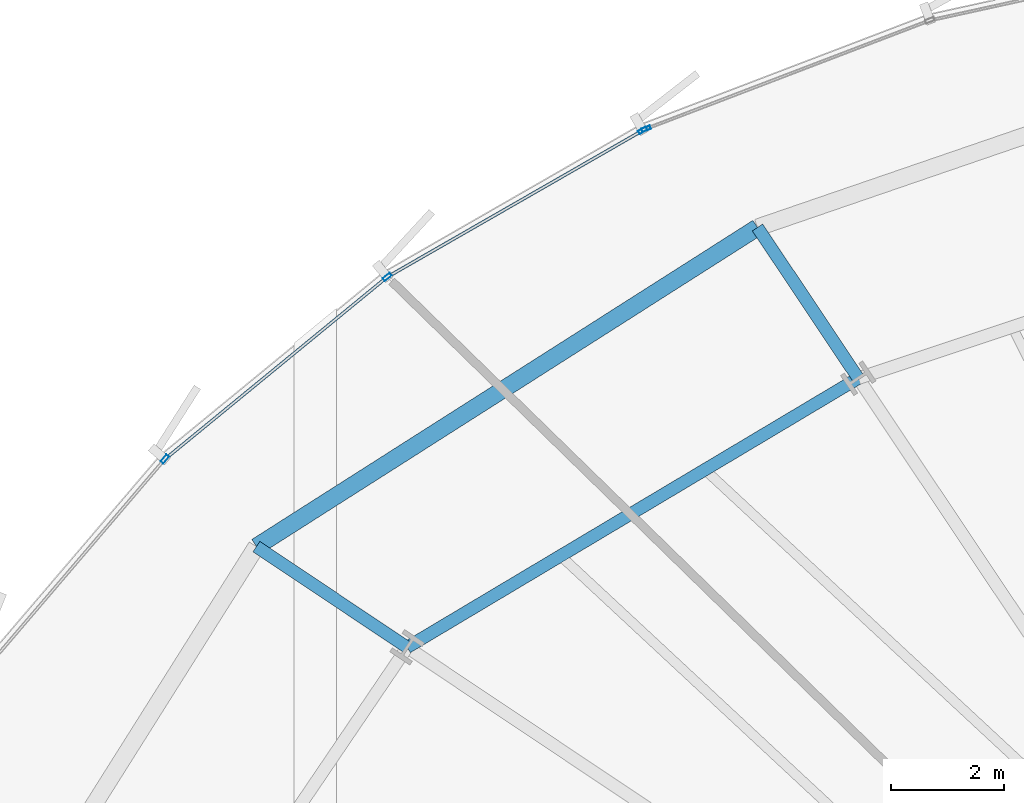
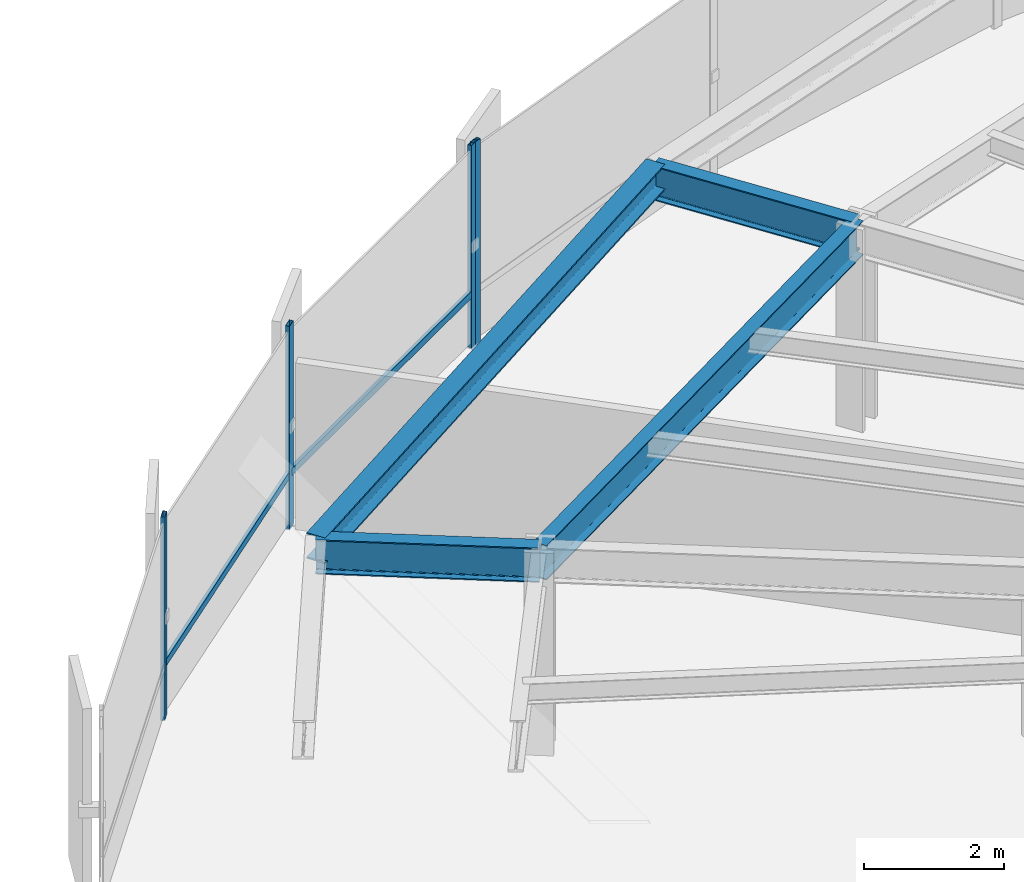
# One storey, part 17 of 38: 6 members, 4 beams, 2 elements without a shape of their own.
"""IFC4 building model written with IfcOpenShell, lengths in metres."""

import ifcopenshell
import ifcopenshell.guid

model = None  # the IFC model being written
_history = None  # IfcOwnerHistory: only IFC2X3 demands one
_inside = {}  # id of a spatial element -> (the spatial element, [elements in it])
_under = {}  # id of a project, library or spatial element -> (it, [spatial elements below it])
_declared = {}  # id of a project -> (the project, [libraries it declares])
_typed = {}  # id of a type object -> (the type object, [elements of that type])
_made_of = {}  # id of a material, layer set ... -> (it, [elements and type objects made of it])


def new_model(schema):
    """Start an empty IFC model of exactly this schema.

    Asked for "IFC4X3", IfcOpenShell would pick the latest addendum, in which some entities
    have other attributes; the version numbers below select the first issue.
    IFC2X3 requires an IfcOwnerHistory on every rooted entity: one is made here for all.
    """
    global model, _history
    if schema == "IFC4X3":
        model = ifcopenshell.file(schema_version=(4, 3, 0, 0))
    else:
        model = ifcopenshell.file(schema=schema)
    _inside.clear()
    _under.clear()
    _declared.clear()
    _typed.clear()
    _made_of.clear()
    _history = None
    if model.schema == "IFC2X3":
        org = make("IfcOrganization", Name="unknown")
        user = make(
            "IfcPersonAndOrganization",
            ThePerson=make("IfcPerson", FamilyName="unknown"),
            TheOrganization=org,
        )
        app = make(
            "IfcApplication",
            ApplicationDeveloper=org,
            Version="unknown",
            ApplicationFullName="unknown",
            ApplicationIdentifier="unknown",
        )
        _history = make(
            "IfcOwnerHistory",
            OwningUser=user,
            OwningApplication=app,
            ChangeAction="ADDED",
            CreationDate=0,
        )
    return model


def make(cls, **values):
    """One entity of the class cls with the attributes given. An attribute that is None is left unset."""
    return model.create_entity(
        cls, **{name: value for name, value in values.items() if value is not None}
    )


def rooted(cls, **values):
    """An entity with a GlobalId (a new one), such as an element, a storey or a relation."""
    return make(cls, GlobalId=ifcopenshell.guid.new(), OwnerHistory=_history, **values)


def si_unit(unit_type, name, prefix=None):
    """IfcSIUnit, for example si_unit("LENGTHUNIT", "METRE", prefix="MILLI")."""
    return make("IfcSIUnit", UnitType=unit_type, Prefix=prefix, Name=name)


def assignment(units):
    """IfcUnitAssignment: the units of a project."""
    return None if units is None else make("IfcUnitAssignment", Units=units)


def point(xyz):
    """IfcCartesianPoint."""
    return None if xyz is None else make("IfcCartesianPoint", Coordinates=xyz)


def direction(xyz):
    """IfcDirection."""
    return None if xyz is None else make("IfcDirection", DirectionRatios=xyz)


def frame(location, z_axis=None, x_axis=None):
    """IfcAxis2Placement3D, a coordinate frame: its origin and axes. An axis left out is left unset."""
    return make(
        "IfcAxis2Placement3D",
        Location=point(location),
        Axis=direction(z_axis),
        RefDirection=direction(x_axis),
    )


def frame_2d(location, x_axis=None):
    """IfcAxis2Placement2D, a coordinate frame in the plane: its origin and x axis."""
    return make(
        "IfcAxis2Placement2D", Location=point(location), RefDirection=direction(x_axis)
    )


def origin():
    """The frame at (0, 0, 0) with its axes left unset."""
    return frame((0.0, 0.0, 0.0))


def origin_2d():
    """The frame at (0, 0) in the plane with its x axis left unset."""
    return frame_2d((0.0, 0.0))


def place(relative_to, where):
    """IfcLocalPlacement: puts the frame where relative to a parent placement (None: the world)."""
    return make(
        "IfcLocalPlacement", PlacementRelTo=relative_to, RelativePlacement=where
    )


def context(
    kind, dimensions, precision=None, world=None, true_north=None, identifier=None
):
    """IfcGeometricRepresentationContext, for example the 3D "Model" context."""
    return make(
        "IfcGeometricRepresentationContext",
        ContextIdentifier=identifier,
        ContextType=kind,
        CoordinateSpaceDimension=dimensions,
        Precision=precision,
        WorldCoordinateSystem=world,
        TrueNorth=true_north,
    )


def subcontext(parent, identifier, kind, view, scale=None):
    """IfcGeometricRepresentationSubContext, for example "Body" below "Model"."""
    return make(
        "IfcGeometricRepresentationSubContext",
        ContextIdentifier=identifier,
        ContextType=kind,
        ParentContext=parent,
        TargetScale=scale,
        TargetView=view,
    )


def project(units=None, contexts=None):
    """IfcProject with its units and contexts."""
    return rooted(
        "IfcProject",
        Name="project",
        RepresentationContexts=contexts,
        UnitsInContext=assignment(units),
    )


def spatial(cls, under=None, at=None, **own):
    """A site, building, storey or space (cls), placed at a placement, below another one or the project."""
    s = rooted(cls, ObjectPlacement=at, **own)
    if under is not None:
        _under.setdefault(under.id(), (under, []))[1].append(s)
    return s


def profile(cls, at=None, kind="AREA", **sizes):
    """A parametric profile (cls). Its sizes go by their IFC names, for example OverallWidth=200.0."""
    return make(cls, ProfileType=kind, Position=at, **sizes)


def hollow_rectangle(**sizes):
    """IfcRectangleHollowProfileDef."""
    return profile("IfcRectangleHollowProfileDef", **sizes)


def i_section(**sizes):
    """IfcIShapeProfileDef."""
    return profile("IfcIShapeProfileDef", **sizes)


def extrude(swept, where, along, depth):
    """IfcExtrudedAreaSolid: the profile swept, set in the frame where, extruded along a direction by depth."""
    return make(
        "IfcExtrudedAreaSolid",
        SweptArea=swept,
        Position=where,
        ExtrudedDirection=direction(along),
        Depth=depth,
    )


def shape(context_of_items, identifier, shape_type, items):
    """IfcShapeRepresentation: the items that make up one representation, for example the "Body"."""
    return make(
        "IfcShapeRepresentation",
        ContextOfItems=context_of_items,
        RepresentationIdentifier=identifier,
        RepresentationType=shape_type,
        Items=items,
    )


def source(mapping_origin, context_of_items, identifier, shape_type, items):
    """IfcRepresentationMap: a shape defined once, which mapped items show again and again."""
    return make(
        "IfcRepresentationMap",
        MappingOrigin=mapping_origin,
        MappedRepresentation=shape(context_of_items, identifier, shape_type, items),
    )


def transform(
    local_origin,
    x_axis=None,
    y_axis=None,
    z_axis=None,
    scale=None,
    scale2=None,
    scale3=None,
    uniform=True,
):
    """IfcCartesianTransformationOperator3D, or its non-uniform kind. x_axis, y_axis, z_axis: its Axis1, 2, 3."""
    if uniform:
        return make(
            "IfcCartesianTransformationOperator3D",
            Axis1=direction(x_axis),
            Axis2=direction(y_axis),
            LocalOrigin=point(local_origin),
            Scale=scale,
            Axis3=direction(z_axis),
        )
    return make(
        "IfcCartesianTransformationOperator3DnonUniform",
        Axis1=direction(x_axis),
        Axis2=direction(y_axis),
        LocalOrigin=point(local_origin),
        Scale=scale,
        Axis3=direction(z_axis),
        Scale2=scale2,
        Scale3=scale3,
    )


def mapped(mapping_source, mapping_target):
    """IfcMappedItem: shows the shape of a source again, moved by a transform."""
    return make(
        "IfcMappedItem", MappingSource=mapping_source, MappingTarget=mapping_target
    )


def material(Name=None, Category=None):
    """IfcMaterial."""
    return make("IfcMaterial", Name=Name, Category=Category)


def layer(
    of_material, thickness, ventilated=None, Name=None, Category=None, Priority=None
):
    """IfcMaterialLayer: one layer of a wall or slab, of a material (None: an air gap)."""
    return make(
        "IfcMaterialLayer",
        Material=of_material,
        LayerThickness=thickness,
        IsVentilated=ventilated,
        Name=Name,
        Category=Category,
        Priority=Priority,
    )


def layer_set(layers, Name=None):
    """IfcMaterialLayerSet."""
    return make("IfcMaterialLayerSet", MaterialLayers=layers, LayerSetName=Name)


def material_profile(
    of_material, cross_section, Name=None, Category=None, Priority=None
):
    """IfcMaterialProfile: a cross section and its material."""
    return make(
        "IfcMaterialProfile",
        Name=Name,
        Material=of_material,
        Profile=cross_section,
        Priority=Priority,
        Category=Category,
    )


def profile_set(profiles, Name=None, composite=None):
    """IfcMaterialProfileSet."""
    return make(
        "IfcMaterialProfileSet",
        Name=Name,
        MaterialProfiles=profiles,
        CompositeProfile=composite,
    )


def made_of(thing, what):
    """Note that an element or type object is made of a material, layer set ...; save() writes the relation."""
    if what is not None:
        _made_of.setdefault(what.id(), (what, []))[1].append(thing)
    return thing


def type_object(cls, material=None, **own):
    """A type object (cls), such as IfcWallType, which elements share."""
    return made_of(rooted(cls, **own), material)


def element(
    cls,
    number,
    at=None,
    inside=None,
    cuts=None,
    type_object=None,
    material=None,
    context=None,
    identifier="Body",
    shape_type=None,
    held_by="IfcProductDefinitionShape",
    body=None,
    shapes=None,
    **own,
):
    """One element of the class cls, such as IfcWall. Its Tag is "e" and its number.

    at: its placement. inside: the storey or other place that contains it. cuts: it is an
    opening in that element (IfcRelVoidsElement). A single representation is given by context,
    identifier, shape_type and body (its items); several are given by shapes. held_by: the class
    of the entity that holds the representations. save() writes the other relations.
    """
    e = rooted(cls, Tag="e%d" % number, ObjectPlacement=at, **own)
    if body is not None:
        shapes = [shape(context, identifier, shape_type, body)]
    if shapes is not None:
        e.Representation = make(held_by, Representations=shapes)
    if inside is not None:
        _inside.setdefault(inside.id(), (inside, []))[1].append(e)
    if cuts is not None:
        rooted(
            "IfcRelVoidsElement", RelatingBuildingElement=cuts, RelatedOpeningElement=e
        )
    if type_object is not None:
        _typed.setdefault(type_object.id(), (type_object, []))[1].append(e)
    return made_of(e, material)


def aggregate(whole, parts):
    """IfcRelAggregates: a whole, such as a stair, and the parts it consists of."""
    return rooted("IfcRelAggregates", RelatingObject=whole, RelatedObjects=parts)


def save(model, path):
    """Write the relations noted so far, then the file.

    IfcRelAggregates (storeys below a building ...), IfcRelContainedInSpatialStructure (elements
    in a storey), IfcRelDefinesByType, IfcRelAssociatesMaterial and IfcRelDeclares: one each for
    every whole, place, type object, material and project.
    """
    for whole, parts in _under.values():
        aggregate(whole, parts)
    for where, things in _inside.values():
        rooted(
            "IfcRelContainedInSpatialStructure",
            RelatedElements=things,
            RelatingStructure=where,
        )
    for kind, things in _typed.values():
        rooted("IfcRelDefinesByType", RelatedObjects=things, RelatingType=kind)
    for what, things in _made_of.values():
        rooted("IfcRelAssociatesMaterial", RelatedObjects=things, RelatingMaterial=what)
    for by, libraries in _declared.values():
        rooted("IfcRelDeclares", RelatingContext=by, RelatedDefinitions=libraries)
    model.write(path)


model = new_model("IFC4")

# Units and contexts
model_context = context("Model", 3, precision=1e-05, world=origin(), true_north=direction((0.0, 1.0)))
body_context = subcontext(model_context, "Body", "Model", "MODEL_VIEW")
ifc_project = project(units=[si_unit("LENGTHUNIT", "METRE"), si_unit("AREAUNIT", "SQUARE_METRE"), si_unit("VOLUMEUNIT", "CUBIC_METRE"), si_unit("PLANEANGLEUNIT", "RADIAN"), si_unit("MASSUNIT", "GRAM", prefix="KILO"), si_unit("THERMODYNAMICTEMPERATUREUNIT", "KELVIN")], contexts=[model_context])

# Site, building, storey
site_placement = place(None, origin())
site = spatial("IfcSite", under=ifc_project, at=site_placement, CompositionType="ELEMENT")
building_placement = place(site_placement, origin())
building = spatial("IfcBuilding", under=site, at=building_placement, Name="Kethvar Cultural Tower", CompositionType="ELEMENT")
storey_placement = place(building_placement, frame((0.0, 0.0, 29.60009765625)))
storey = spatial("IfcBuildingStorey", under=building, at=storey_placement, Name="L06", CompositionType="ELEMENT", Elevation=29.60009765625)

# Beams
ifc_material_1 = material(Name="Steel S355J2", Category="steel")
ifc_material_profile_1 = material_profile(ifc_material_1, i_section(OverallWidth=0.219970703125, OverallDepth=0.60009765625, WebThickness=0.011962890625, FlangeThickness=0.01904296875, FilletRadius=0.02392578125, at=origin_2d()), Name="Steel S355J2 — IPE600")
ifc_profile_set_1 = profile_set([ifc_material_profile_1], Name="Steel S355J2 — IPE600")
beam_type_1 = type_object("IfcBeamType", Name="BM-IPE600", PredefinedType="BEAM", material=ifc_profile_set_1)
shared_shape_1 = source(origin(), body_context, "Body", "SweptSolid", [
    extrude(i_section(OverallWidth=0.219970703125, OverallDepth=0.60009765625, WebThickness=0.011962890625, FlangeThickness=0.01904296875, FilletRadius=0.02392578125, at=origin_2d()), origin(), (0.0, 0.0, 1.0), 3.199951171875),
])
for number, where, z_axis, x_axis, name in (
    (1, (34.64599609375, 45.98974609375, 3.247802734375), (-0.555580212716, 0.831462943996, 0.0), (-0.831462943996, -0.555580212716, 0.0), "L06 Perimeter Cantilever Beam RC-06"),
    (2, (26.6845703125, 41.24072265625, 3.247802734375), (-0.831462943996, 0.555580212716, 0.0), (-0.555580212716, -0.831462943996, 0.0), "L06 Perimeter Cantilever Beam RC-07"),
):
    element("IfcBeam", number, at=place(storey_placement, frame(where, z_axis=z_axis, x_axis=x_axis)), inside=storey, type_object=beam_type_1, Name=name, PredefinedType="BEAM", context=body_context, shape_type="MappedRepresentation", body=[
        mapped(shared_shape_1, transform((0.0, 0.0, 0.0), scale=1.0)),
    ])
shared_shape_2 = source(origin(), body_context, "Body", "SweptSolid", [
    extrude(i_section(OverallWidth=0.219970703125, OverallDepth=0.60009765625, WebThickness=0.011962890625, FlangeThickness=0.01904296875, FilletRadius=0.02392578125, at=origin_2d()), origin(), (0.0, 0.0, 1.0), 9.270263671875),
])
beam_1_placement = place(storey_placement, frame((34.64599609375, 45.98974609375, 3.247802734375), z_axis=(-0.858814626354, -0.51228647997, 0.0), x_axis=(0.51228647997, -0.858814626354, 0.0)))
element("IfcBeam", 3, at=beam_1_placement, inside=storey, type_object=beam_type_1, Name="L06 Column Ring Tie Beam CR-06", PredefinedType="BEAM", context=body_context, shape_type="MappedRepresentation", body=[
    mapped(shared_shape_2, transform((0.0, 0.0, 0.0), scale=1.0)),
])
ifc_material_profile_2 = material_profile(ifc_material_1, i_section(OverallWidth=0.300048828125, OverallDepth=0.449951171875, WebThickness=0.013916015625, FlangeThickness=0.02587890625, FilletRadius=0.027099609375, at=origin_2d()), Name="Steel S355J2 — HEB450")
ifc_profile_set_2 = profile_set([ifc_material_profile_2], Name="Steel S355J2 — HEB450")
beam_type_2 = type_object("IfcBeamType", Name="BM-SP450", PredefinedType="SPANDREL", material=ifc_profile_set_2)
shared_shape_3 = source(origin(), body_context, "Body", "SweptSolid", [
    extrude(i_section(OverallWidth=0.300048828125, OverallDepth=0.449951171875, WebThickness=0.013916015625, FlangeThickness=0.02587890625, FilletRadius=0.027099609375, at=origin_2d()), origin(), (0.0, 0.0, 1.0), 10.485107421875),
])
beam_2_placement = place(storey_placement, frame((32.8681640625, 48.650390625, 3.322998046875), z_axis=(-0.843502294633, -0.537125570932, 0.0), x_axis=(0.537125570932, -0.843502294633, 0.0)))
element("IfcBeam", 4, at=beam_2_placement, inside=storey, type_object=beam_type_2, Name="L06 Perimeter Spandrel Beam SP-06", PredefinedType="SPANDREL", context=body_context, shape_type="MappedRepresentation", body=[
    mapped(shared_shape_3, transform((0.0, 0.0, 0.0), scale=1.0)),
])

# Curtain wall, member
ifc_material_2 = material(Name="Aluminium 6063-T6", Category="aluminium")
ifc_layer = layer(ifc_material_2, 0.179931640625, Name="Aluminium 6063-T6", Category="aluminium")
ifc_layer_set = layer_set([ifc_layer], Name="Aluminium 6063-T6 (180 mm)")
curtain_wall_type = type_object("IfcCurtainWallType", Name="CW-SYS-02-Z1", PredefinedType="NOTDEFINED", material=ifc_layer_set)
curtain_wall_1_placement = place(storey_placement, origin())
curtain_wall_1 = element("IfcCurtainWall", 5, at=curtain_wall_1_placement, inside=storey, type_object=curtain_wall_type, Name="L06 Curtain Wall Run 02", PredefinedType="NOTDEFINED")
ifc_material_profile_3 = material_profile(ifc_material_2, hollow_rectangle(XDim=0.06494140625, YDim=0.159912109375, WallThickness=0.0048828125, at=origin_2d()), Name="Aluminium 6063-T6 — RHS160x65x5")
ifc_profile_set_3 = profile_set([ifc_material_profile_3], Name="Aluminium 6063-T6 — RHS160x65x5")
member_type_1 = type_object("IfcMemberType", Name="CW-SYS-02-Z1-MUL", PredefinedType="MULLION", material=ifc_profile_set_3)
shared_shape_4 = source(origin(), body_context, "Body", "SweptSolid", [
    extrude(hollow_rectangle(XDim=0.06494140625, YDim=0.159912109375, WallThickness=0.0048828125, at=origin_2d()), origin(), (0.0, 0.0, 1.0), 3.5498046875),
])
member_1_placement = place(storey_placement, frame((30.90234375, 50.392822265625, 0.0), z_axis=(0.0, 0.0, 1.0), x_axis=(0.357064076459, -0.934079892355, 0.0)))
member_1 = element("IfcMember", 6, at=member_1_placement, type_object=member_type_1, Name="CW-L06-R02 Mullion 7", PredefinedType="MULLION", context=body_context, shape_type="MappedRepresentation", body=[
    mapped(shared_shape_4, transform((0.0, 0.0, 0.0), scale=1.0)),
])
aggregate(curtain_wall_1, [member_1])

# Curtain wall, members
curtain_wall_2_placement = place(storey_placement, origin())
curtain_wall_2 = element("IfcCurtainWall", 7, at=curtain_wall_2_placement, inside=storey, type_object=curtain_wall_type, Name="L06 Curtain Wall Run 03", PredefinedType="NOTDEFINED")
member_2_placement = place(storey_placement, frame((30.843017578125, 50.36474609375, 0.0), z_axis=(0.0, 0.0, 1.0), x_axis=(0.497821863918, -0.867279304379, 0.0)))
member_2 = element("IfcMember", 8, at=member_2_placement, type_object=member_type_1, Name="CW-L06-R03 Mullion 1", PredefinedType="MULLION", context=body_context, shape_type="MappedRepresentation", body=[
    mapped(shared_shape_4, transform((0.0, 0.0, 0.0), scale=1.0)),
])
member_3_placement = place(storey_placement, frame((26.33251953125, 47.777587890625, 0.0), z_axis=(0.0, 0.0, 1.0), x_axis=(0.633988449894, -0.773342514932, 0.0)))
member_3 = element("IfcMember", 9, at=member_3_placement, type_object=member_type_1, Name="CW-L06-R03 Mullion 2", PredefinedType="MULLION", context=body_context, shape_type="MappedRepresentation", body=[
    mapped(shared_shape_4, transform((0.0, 0.0, 0.0), scale=1.0)),
])
member_4_placement = place(storey_placement, frame((22.408447265625, 44.56298828125, 0.0), z_axis=(0.0, 0.0, 1.0), x_axis=(0.760371959537, -0.649487862203, 0.0)))
member_4 = element("IfcMember", 10, at=member_4_placement, type_object=member_type_1, Name="CW-L06-R03 Mullion 3", PredefinedType="MULLION", context=body_context, shape_type="MappedRepresentation", body=[
    mapped(shared_shape_4, transform((0.0, 0.0, 0.0), scale=1.0)),
])
ifc_material_profile_4 = material_profile(ifc_material_2, hollow_rectangle(XDim=0.054931640625, YDim=0.1201171875, WallThickness=0.00390625, at=origin_2d()), Name="Aluminium 6063-T6 — RHS120x55x4")
ifc_profile_set_4 = profile_set([ifc_material_profile_4], Name="Aluminium 6063-T6 — RHS120x55x4")
member_type_2 = type_object("IfcMemberType", Name="CW-SYS-02-Z1-TRN", PredefinedType="USERDEFINED", material=ifc_profile_set_4)
shared_shape_5 = source(origin(), body_context, "Body", "SweptSolid", [
    extrude(hollow_rectangle(XDim=0.054931640625, YDim=0.1201171875, WallThickness=0.00390625, at=origin_2d()), origin(), (0.0, 0.0, 1.0), 5.16845703125),
])
member_5_placement = place(storey_placement, frame((30.839111328125, 50.362548828125, 0.949951171875), z_axis=(-0.867273492015, -0.497831989779, 0.0), x_axis=(0.497831989779, -0.867273492015, 0.0)))
member_5 = element("IfcMember", 11, at=member_5_placement, type_object=member_type_2, Name="CW-L06-R03 Transom 1", ObjectType="TRANSOM", PredefinedType="USERDEFINED", context=body_context, shape_type="MappedRepresentation", body=[
    mapped(shared_shape_5, transform((0.0, 0.0, 0.0), scale=1.0)),
])
shared_shape_6 = source(origin(), body_context, "Body", "SweptSolid", [
    extrude(hollow_rectangle(XDim=0.054931640625, YDim=0.1201171875, WallThickness=0.00390625, at=origin_2d()), origin(), (0.0, 0.0, 1.0), 5.000244140625),
])
member_6_placement = place(storey_placement, frame((26.29638671875, 47.747802734375, 0.949951171875), z_axis=(-0.77336306411, -0.633963383067, 0.0), x_axis=(0.633963383067, -0.77336306411, 0.0)))
member_6 = element("IfcMember", 12, at=member_6_placement, type_object=member_type_2, Name="CW-L06-R03 Transom 2", ObjectType="TRANSOM", PredefinedType="USERDEFINED", context=body_context, shape_type="MappedRepresentation", body=[
    mapped(shared_shape_6, transform((0.0, 0.0, 0.0), scale=1.0)),
])
aggregate(curtain_wall_2, [member_2, member_3, member_4, member_5, member_6])

save(model, "model.ifc")
